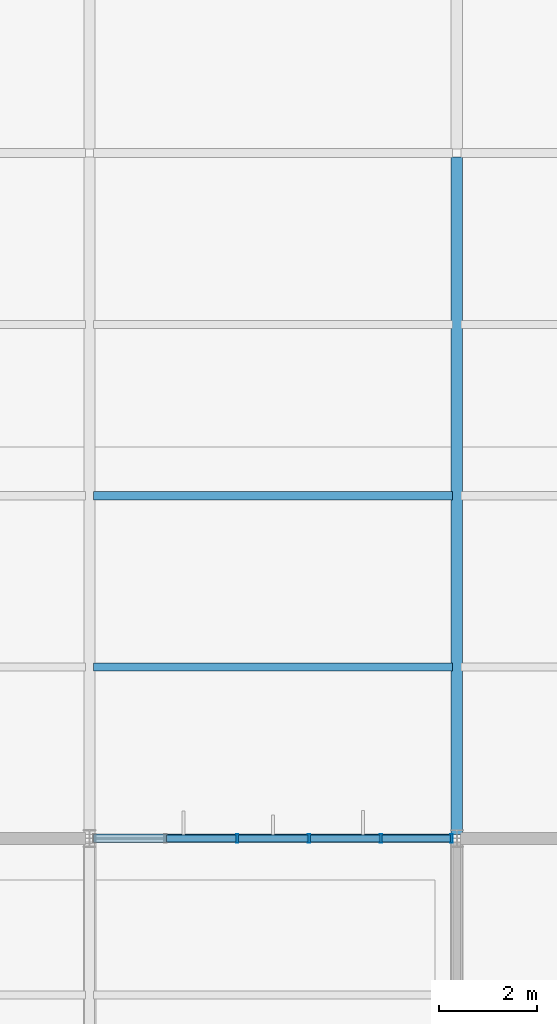
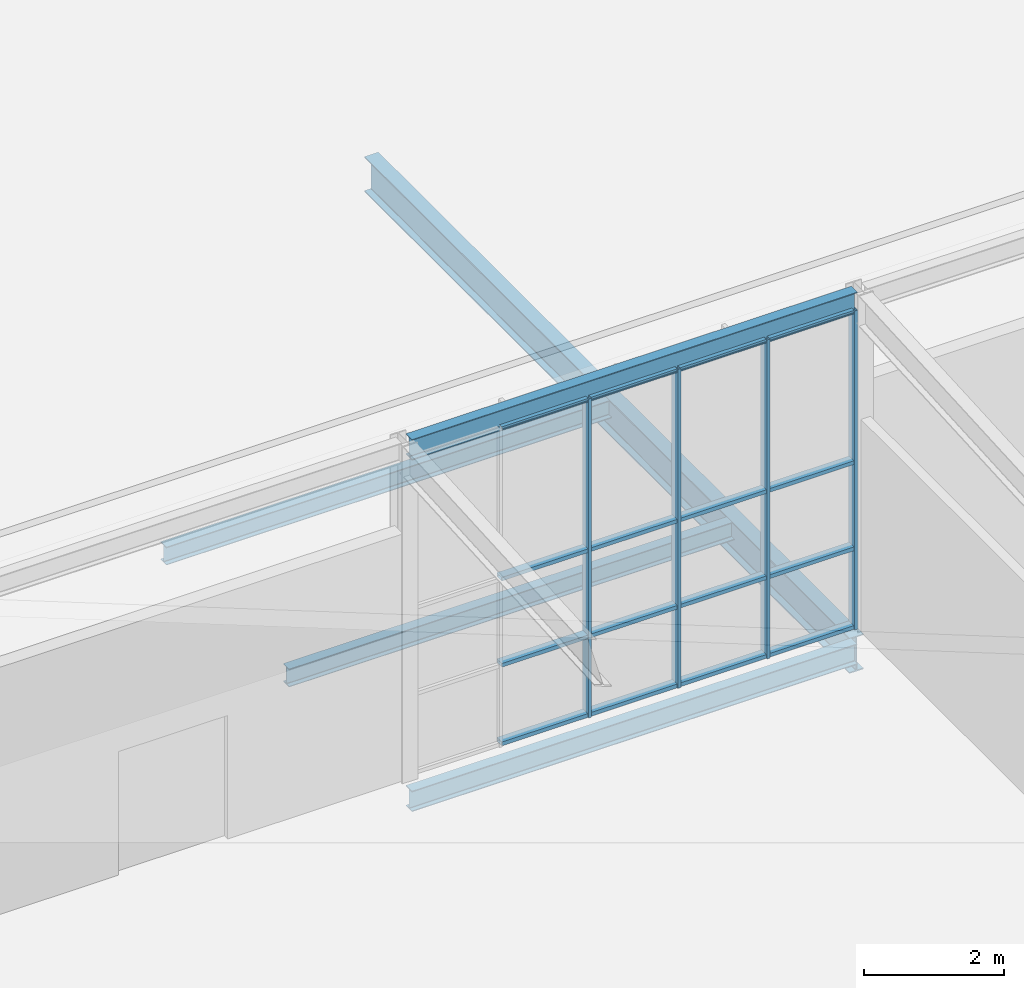
# One storey, part 21 of 104: 20 members, 5 beams, 1 element without a shape of its own.
"""IFC4 building model written with IfcOpenShell, lengths in metres."""

from ifc_helpers import new_model, si_unit, direction, frame, origin, origin_2d, place, context, subcontext, project, spatial, hollow_rectangle, i_section, extrude, material, layer, layer_set, material_profile, profile_set, type_object, element, aggregate, save


model = new_model("IFC4")

# Units and contexts
model_context = context("Model", 3, precision=1e-05, world=origin(), true_north=direction((0.0, 1.0)))
body_context = subcontext(model_context, "Body", "Model", "MODEL_VIEW")
ifc_project = project(units=[si_unit("LENGTHUNIT", "METRE"), si_unit("AREAUNIT", "SQUARE_METRE"), si_unit("VOLUMEUNIT", "CUBIC_METRE"), si_unit("PLANEANGLEUNIT", "RADIAN"), si_unit("MASSUNIT", "GRAM", prefix="KILO")], contexts=[model_context])

# Site, building, storey
site_placement = place(None, origin())
site = spatial("IfcSite", under=ifc_project, at=site_placement, CompositionType="ELEMENT")
building_placement = place(site_placement, origin())
building = spatial("IfcBuilding", under=site, at=building_placement, Name="Solvenia Promenade Tram Depot", CompositionType="ELEMENT")
storey_placement = place(building_placement, frame((0.0, 0.0, 9.0)))
storey = spatial("IfcBuildingStorey", under=building, at=storey_placement, Name="L02", CompositionType="ELEMENT", Elevation=9.0)

# Curtain wall, members
ifc_material_1 = material(Name="Anodized aluminium AW-6063 T6", Category="aluminium")
ifc_layer = layer(ifc_material_1, 0.14990234375, Name="Anodized aluminium AW-6063 T6", Category="aluminium")
ifc_layer_set = layer_set([ifc_layer], Name="Anodized aluminium AW-6063 T6")
curtain_wall_type = type_object("IfcCurtainWallType", Name="CW-Court-1500", PredefinedType="NOTDEFINED", material=ifc_layer_set)
curtain_wall_placement = place(storey_placement, origin())
curtain_wall = element("IfcCurtainWall", 1, at=curtain_wall_placement, inside=storey, type_object=curtain_wall_type, Name="Curtain Wall CW-V4N-L02-04", PredefinedType="NOTDEFINED")
ifc_material_profile_1 = material_profile(ifc_material_1, hollow_rectangle(XDim=0.179931640625, YDim=0.050048828125, WallThickness=0.00390625, at=origin_2d()), Name="ALU-M2", Category="aluminium")
ifc_profile_set_1 = profile_set([ifc_material_profile_1], Name="Anodized aluminium AW-6063 T6")
member_type_1 = type_object("IfcMemberType", Name="CWM-Mullion-2", PredefinedType="MULLION", material=ifc_profile_set_1)
member_1_placement = place(storey_placement, frame((25.51611328125, 24.0, 0.0), z_axis=(0.0, 0.0, 1.0), x_axis=(0.0, 1.0, 0.0)))
member_1 = element("IfcMember", 2, at=member_1_placement, type_object=member_type_1, Name="CW-5 mullion 3", PredefinedType="MULLION", context=body_context, shape_type="SweptSolid", body=[
    extrude(hollow_rectangle(XDim=0.179931640625, YDim=0.050048828125, WallThickness=0.00390625, at=origin_2d()), origin(), (0.0, 0.0, 1.0), 5.550048828125),
])
member_2_placement = place(storey_placement, frame((26.98388671875, 24.0, 0.0), z_axis=(0.0, 0.0, 1.0), x_axis=(0.0, 1.0, 0.0)))
member_2 = element("IfcMember", 3, at=member_2_placement, type_object=member_type_1, Name="CW-5 mullion 4", PredefinedType="MULLION", context=body_context, shape_type="SweptSolid", body=[
    extrude(hollow_rectangle(XDim=0.179931640625, YDim=0.050048828125, WallThickness=0.00390625, at=origin_2d()), origin(), (0.0, 0.0, 1.0), 5.550048828125),
])
member_3_placement = place(storey_placement, frame((28.451904296875, 24.0, 0.0), z_axis=(0.0, 0.0, 1.0), x_axis=(0.0, 1.0, 0.0)))
member_3 = element("IfcMember", 4, at=member_3_placement, type_object=member_type_1, Name="CW-5 mullion 5", PredefinedType="MULLION", context=body_context, shape_type="SweptSolid", body=[
    extrude(hollow_rectangle(XDim=0.179931640625, YDim=0.050048828125, WallThickness=0.00390625, at=origin_2d()), origin(), (0.0, 0.0, 1.0), 5.550048828125),
])
member_4_placement = place(storey_placement, frame((29.89501953125, 24.0, 0.0), z_axis=(0.0, 0.0, 1.0), x_axis=(0.0, 1.0, 0.0)))
member_4 = element("IfcMember", 5, at=member_4_placement, type_object=member_type_1, Name="CW-5 mullion 6", PredefinedType="MULLION", context=body_context, shape_type="SweptSolid", body=[
    extrude(hollow_rectangle(XDim=0.179931640625, YDim=0.050048828125, WallThickness=0.00390625, at=origin_2d()), origin(), (0.0, 0.0, 1.0), 5.550048828125),
])
ifc_material_profile_2 = material_profile(ifc_material_1, hollow_rectangle(XDim=0.139892578125, YDim=0.06494140625, WallThickness=0.00390625, at=origin_2d()), Name="ALU-T2", Category="aluminium")
ifc_profile_set_2 = profile_set([ifc_material_profile_2], Name="Anodized aluminium AW-6063 T6")
member_type_2 = type_object("IfcMemberType", Name="CWT-Transom-2", PredefinedType="USERDEFINED", material=ifc_profile_set_2)
member_5_placement = place(storey_placement, frame((24.072998046875, 24.0, 0.032470703125), z_axis=(1.0, 0.0, 0.0), x_axis=(0.0, 1.0, 0.0)))
member_5 = element("IfcMember", 6, at=member_5_placement, type_object=member_type_2, Name="CW-5 transom 2.1", ObjectType="TRANSOM", PredefinedType="USERDEFINED", context=body_context, shape_type="SweptSolid", body=[
    extrude(hollow_rectangle(XDim=0.139892578125, YDim=0.06494140625, WallThickness=0.00390625, at=origin_2d()), origin(), (0.0, 0.0, 1.0), 1.41796875),
])
member_6_placement = place(storey_placement, frame((24.072998046875, 24.0, 1.39990234375), z_axis=(1.0, 0.0, 0.0), x_axis=(0.0, 1.0, 0.0)))
member_6 = element("IfcMember", 7, at=member_6_placement, type_object=member_type_2, Name="CW-5 transom 2.2", ObjectType="TRANSOM", PredefinedType="USERDEFINED", context=body_context, shape_type="SweptSolid", body=[
    extrude(hollow_rectangle(XDim=0.139892578125, YDim=0.06494140625, WallThickness=0.00390625, at=origin_2d()), origin(), (0.0, 0.0, 1.0), 1.41796875),
])
member_7_placement = place(storey_placement, frame((24.072998046875, 24.0, 2.89990234375), z_axis=(1.0, 0.0, 0.0), x_axis=(0.0, 1.0, 0.0)))
member_7 = element("IfcMember", 8, at=member_7_placement, type_object=member_type_2, Name="CW-5 transom 2.3", ObjectType="TRANSOM", PredefinedType="USERDEFINED", context=body_context, shape_type="SweptSolid", body=[
    extrude(hollow_rectangle(XDim=0.139892578125, YDim=0.06494140625, WallThickness=0.00390625, at=origin_2d()), origin(), (0.0, 0.0, 1.0), 1.41796875),
])
member_8_placement = place(storey_placement, frame((24.072998046875, 24.0, 5.517578125), z_axis=(1.0, 0.0, 0.0), x_axis=(0.0, 1.0, 0.0)))
member_8 = element("IfcMember", 9, at=member_8_placement, type_object=member_type_2, Name="CW-5 transom 2.4", ObjectType="TRANSOM", PredefinedType="USERDEFINED", context=body_context, shape_type="SweptSolid", body=[
    extrude(hollow_rectangle(XDim=0.139892578125, YDim=0.06494140625, WallThickness=0.00390625, at=origin_2d()), origin(), (0.0, 0.0, 1.0), 1.41796875),
])
member_9_placement = place(storey_placement, frame((25.541015625, 24.0, 0.032470703125), z_axis=(1.0, 0.0, 0.0), x_axis=(0.0, 1.0, 0.0)))
member_9 = element("IfcMember", 10, at=member_9_placement, type_object=member_type_2, Name="CW-5 transom 3.1", ObjectType="TRANSOM", PredefinedType="USERDEFINED", context=body_context, shape_type="SweptSolid", body=[
    extrude(hollow_rectangle(XDim=0.139892578125, YDim=0.06494140625, WallThickness=0.00390625, at=origin_2d()), origin(), (0.0, 0.0, 1.0), 1.41796875),
])
member_10_placement = place(storey_placement, frame((25.541015625, 24.0, 1.39990234375), z_axis=(1.0, 0.0, 0.0), x_axis=(0.0, 1.0, 0.0)))
member_10 = element("IfcMember", 11, at=member_10_placement, type_object=member_type_2, Name="CW-5 transom 3.2", ObjectType="TRANSOM", PredefinedType="USERDEFINED", context=body_context, shape_type="SweptSolid", body=[
    extrude(hollow_rectangle(XDim=0.139892578125, YDim=0.06494140625, WallThickness=0.00390625, at=origin_2d()), origin(), (0.0, 0.0, 1.0), 1.41796875),
])
member_11_placement = place(storey_placement, frame((25.541015625, 24.0, 2.89990234375), z_axis=(1.0, 0.0, 0.0), x_axis=(0.0, 1.0, 0.0)))
member_11 = element("IfcMember", 12, at=member_11_placement, type_object=member_type_2, Name="CW-5 transom 3.3", ObjectType="TRANSOM", PredefinedType="USERDEFINED", context=body_context, shape_type="SweptSolid", body=[
    extrude(hollow_rectangle(XDim=0.139892578125, YDim=0.06494140625, WallThickness=0.00390625, at=origin_2d()), origin(), (0.0, 0.0, 1.0), 1.41796875),
])
member_12_placement = place(storey_placement, frame((25.541015625, 24.0, 5.517578125), z_axis=(1.0, 0.0, 0.0), x_axis=(0.0, 1.0, 0.0)))
member_12 = element("IfcMember", 13, at=member_12_placement, type_object=member_type_2, Name="CW-5 transom 3.4", ObjectType="TRANSOM", PredefinedType="USERDEFINED", context=body_context, shape_type="SweptSolid", body=[
    extrude(hollow_rectangle(XDim=0.139892578125, YDim=0.06494140625, WallThickness=0.00390625, at=origin_2d()), origin(), (0.0, 0.0, 1.0), 1.41796875),
])
member_13_placement = place(storey_placement, frame((27.009033203125, 24.0, 0.032470703125), z_axis=(1.0, 0.0, 0.0), x_axis=(0.0, 1.0, 0.0)))
member_13 = element("IfcMember", 14, at=member_13_placement, type_object=member_type_2, Name="CW-5 transom 4.1", ObjectType="TRANSOM", PredefinedType="USERDEFINED", context=body_context, shape_type="SweptSolid", body=[
    extrude(hollow_rectangle(XDim=0.139892578125, YDim=0.06494140625, WallThickness=0.00390625, at=origin_2d()), origin(), (0.0, 0.0, 1.0), 1.41796875),
])
member_14_placement = place(storey_placement, frame((27.009033203125, 24.0, 1.39990234375), z_axis=(1.0, 0.0, 0.0), x_axis=(0.0, 1.0, 0.0)))
member_14 = element("IfcMember", 15, at=member_14_placement, type_object=member_type_2, Name="CW-5 transom 4.2", ObjectType="TRANSOM", PredefinedType="USERDEFINED", context=body_context, shape_type="SweptSolid", body=[
    extrude(hollow_rectangle(XDim=0.139892578125, YDim=0.06494140625, WallThickness=0.00390625, at=origin_2d()), origin(), (0.0, 0.0, 1.0), 1.41796875),
])
member_15_placement = place(storey_placement, frame((27.009033203125, 24.0, 2.89990234375), z_axis=(1.0, 0.0, 0.0), x_axis=(0.0, 1.0, 0.0)))
member_15 = element("IfcMember", 16, at=member_15_placement, type_object=member_type_2, Name="CW-5 transom 4.3", ObjectType="TRANSOM", PredefinedType="USERDEFINED", context=body_context, shape_type="SweptSolid", body=[
    extrude(hollow_rectangle(XDim=0.139892578125, YDim=0.06494140625, WallThickness=0.00390625, at=origin_2d()), origin(), (0.0, 0.0, 1.0), 1.41796875),
])
member_16_placement = place(storey_placement, frame((27.009033203125, 24.0, 5.517578125), z_axis=(1.0, 0.0, 0.0), x_axis=(0.0, 1.0, 0.0)))
member_16 = element("IfcMember", 17, at=member_16_placement, type_object=member_type_2, Name="CW-5 transom 4.4", ObjectType="TRANSOM", PredefinedType="USERDEFINED", context=body_context, shape_type="SweptSolid", body=[
    extrude(hollow_rectangle(XDim=0.139892578125, YDim=0.06494140625, WallThickness=0.00390625, at=origin_2d()), origin(), (0.0, 0.0, 1.0), 1.41796875),
])
member_17_placement = place(storey_placement, frame((28.47705078125, 24.0, 0.032470703125), z_axis=(1.0, 0.0, 0.0), x_axis=(0.0, 1.0, 0.0)))
member_17 = element("IfcMember", 18, at=member_17_placement, type_object=member_type_2, Name="CW-5 transom 5.1", ObjectType="TRANSOM", PredefinedType="USERDEFINED", context=body_context, shape_type="SweptSolid", body=[
    extrude(hollow_rectangle(XDim=0.139892578125, YDim=0.06494140625, WallThickness=0.00390625, at=origin_2d()), origin(), (0.0, 0.0, 1.0), 1.39306640625),
])
member_18_placement = place(storey_placement, frame((28.47705078125, 24.0, 1.39990234375), z_axis=(1.0, 0.0, 0.0), x_axis=(0.0, 1.0, 0.0)))
member_18 = element("IfcMember", 19, at=member_18_placement, type_object=member_type_2, Name="CW-5 transom 5.2", ObjectType="TRANSOM", PredefinedType="USERDEFINED", context=body_context, shape_type="SweptSolid", body=[
    extrude(hollow_rectangle(XDim=0.139892578125, YDim=0.06494140625, WallThickness=0.00390625, at=origin_2d()), origin(), (0.0, 0.0, 1.0), 1.39306640625),
])
member_19_placement = place(storey_placement, frame((28.47705078125, 24.0, 2.89990234375), z_axis=(1.0, 0.0, 0.0), x_axis=(0.0, 1.0, 0.0)))
member_19 = element("IfcMember", 20, at=member_19_placement, type_object=member_type_2, Name="CW-5 transom 5.3", ObjectType="TRANSOM", PredefinedType="USERDEFINED", context=body_context, shape_type="SweptSolid", body=[
    extrude(hollow_rectangle(XDim=0.139892578125, YDim=0.06494140625, WallThickness=0.00390625, at=origin_2d()), origin(), (0.0, 0.0, 1.0), 1.39306640625),
])
member_20_placement = place(storey_placement, frame((28.47705078125, 24.0, 5.517578125), z_axis=(1.0, 0.0, 0.0), x_axis=(0.0, 1.0, 0.0)))
member_20 = element("IfcMember", 21, at=member_20_placement, type_object=member_type_2, Name="CW-5 transom 5.4", ObjectType="TRANSOM", PredefinedType="USERDEFINED", context=body_context, shape_type="SweptSolid", body=[
    extrude(hollow_rectangle(XDim=0.139892578125, YDim=0.06494140625, WallThickness=0.00390625, at=origin_2d()), origin(), (0.0, 0.0, 1.0), 1.39306640625),
])
aggregate(curtain_wall, [member_1, member_2, member_3, member_4, member_5, member_6, member_7, member_8, member_9, member_10, member_11, member_12, member_13, member_14, member_15, member_16, member_17, member_18, member_19, member_20])

# Beams
ifc_material_2 = material(Name="Structural steel ASTM A992 Gr. 50", Category="steel")
ifc_material_profile_3 = material_profile(ifc_material_2, i_section(OverallWidth=0.22900390625, OverallDepth=0.612060546875, WebThickness=0.011962890625, FlangeThickness=0.01953125, FilletRadius=0.014892578125, at=origin_2d()), Name="W610x125", Category="steel")
ifc_profile_set_3 = profile_set([ifc_material_profile_3], Name="Structural steel ASTM A992 Gr. 50")
beam_type_1 = type_object("IfcBeamType", Name="Gird-W610x125", PredefinedType="BEAM", material=ifc_profile_set_3)
beam_placement = place(storey_placement, frame((30.0, 24.0849609375, -0.56591796875), z_axis=(0.0, 1.0, 0.0), x_axis=(-1.0, 0.0, 0.0)))
element("IfcBeam", 22, at=beam_placement, inside=storey, type_object=beam_type_1, Name="Transverse Girder BM-L02-0680", PredefinedType="BEAM", context=body_context, shape_type="SweptSolid", body=[
    extrude(i_section(OverallWidth=0.22900390625, OverallDepth=0.612060546875, WebThickness=0.011962890625, FlangeThickness=0.01953125, FilletRadius=0.014892578125, at=origin_2d()), origin(), (0.0, 0.0, 1.0), 13.830078125),
])
ifc_material_profile_4 = material_profile(ifc_material_2, i_section(OverallWidth=0.166015625, OverallDepth=0.31298828125, WebThickness=0.006591796875, FlangeThickness=0.01123046875, FilletRadius=0.010009765625, at=origin_2d()), Name="W310x45", Category="steel")
ifc_profile_set_4 = profile_set([ifc_material_profile_4], Name="Structural steel ASTM A992 Gr. 50")
beam_type_2 = type_object("IfcBeamType", Name="Joist-W310x45", PredefinedType="JOIST", material=ifc_profile_set_4)
for number, where, z_axis, x_axis, name in (
    (23, (22.5849609375, 27.5, -0.41650390625), (1.0, 0.0, 0.0), (0.0, 1.0, 0.0), "Secondary Floor Joist BM-L02-0714"),
    (24, (22.5849609375, 31.0, -0.41650390625), (1.0, 0.0, 0.0), (0.0, 1.0, 0.0), "Secondary Floor Joist BM-L02-0715"),
):
    element("IfcBeam", number, at=place(storey_placement, frame(where, z_axis=z_axis, x_axis=x_axis)), inside=storey, type_object=beam_type_2, Name=name, PredefinedType="JOIST", context=body_context, shape_type="SweptSolid", body=[
        extrude(i_section(OverallWidth=0.166015625, OverallDepth=0.31298828125, WebThickness=0.006591796875, FlangeThickness=0.01123046875, FilletRadius=0.010009765625, at=origin_2d()), origin(), (0.0, 0.0, 1.0), 7.330078125),
    ])
ifc_material_profile_5 = material_profile(ifc_material_2, i_section(OverallWidth=0.172119140625, OverallDepth=0.35791015625, WebThickness=0.0078125, FlangeThickness=0.01318359375, FilletRadius=0.010986328125, at=origin_2d()), Name="W360x57", Category="steel")
ifc_profile_set_5 = profile_set([ifc_material_profile_5], Name="Structural steel ASTM A992 Gr. 50")
beam_type_3 = type_object("IfcBeamType", Name="Spandrel-W360x57", PredefinedType="SPANDREL", material=ifc_profile_set_5)
for number, where, z_axis, x_axis, name in (
    (25, (22.5849609375, 24.0, -0.43896484375), (1.0, 0.0, 0.0), (0.0, 1.0, 0.0), "Perimeter Spandrel BM-L02-0539"),
    (26, (22.5849609375, 24.0, 5.680908203125), (1.0, 0.0, 0.0), (0.0, 1.0, 0.0), "Folded Wing Roof Eave Beam BM-L02-0869"),
):
    element("IfcBeam", number, at=place(storey_placement, frame(where, z_axis=z_axis, x_axis=x_axis)), inside=storey, type_object=beam_type_3, Name=name, PredefinedType="SPANDREL", context=body_context, shape_type="SweptSolid", body=[
        extrude(i_section(OverallWidth=0.172119140625, OverallDepth=0.35791015625, WebThickness=0.0078125, FlangeThickness=0.01318359375, FilletRadius=0.010986328125, at=origin_2d()), origin(), (0.0, 0.0, 1.0), 7.330078125),
    ])

save(model, "model.ifc")
